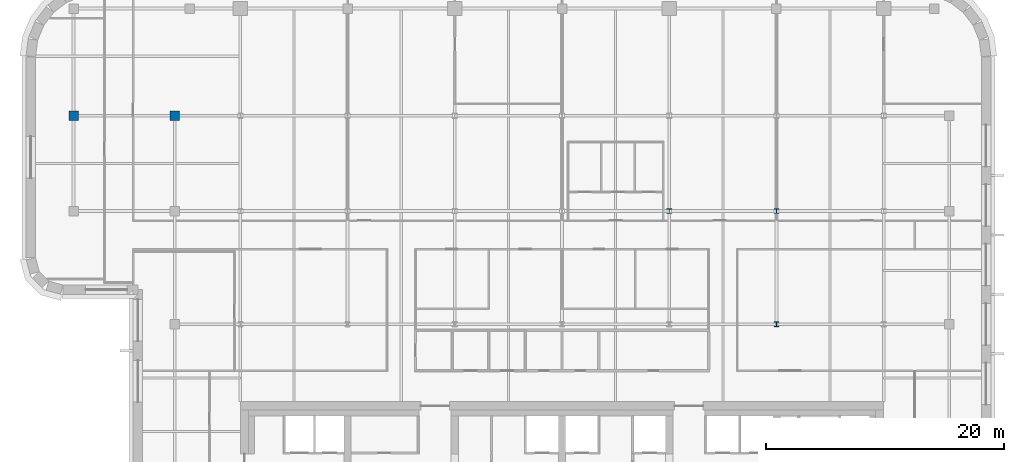
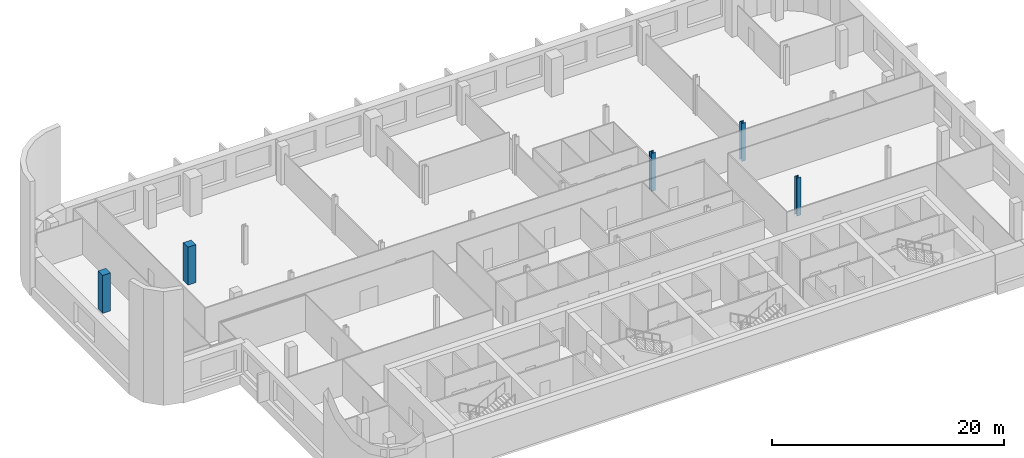
# One storey, part 2 of 16: 5 columns.
"""IFC4 building model written with IfcOpenShell, lengths in metres."""

from ifc_helpers import new_model, si_unit, direction, frame, origin, origin_2d, place, context, subcontext, project, spatial, rectangle, i_section, extrude, material, material_profile, profile_set, type_object, element, save


model = new_model("IFC4")

# Units and contexts
model_context = context("Model", 3, precision=1e-05, world=origin(), true_north=direction((0.0, 1.0)))
body_context = subcontext(model_context, "Body", "Model", "MODEL_VIEW")
ifc_project = project(units=[si_unit("LENGTHUNIT", "METRE"), si_unit("AREAUNIT", "SQUARE_METRE"), si_unit("VOLUMEUNIT", "CUBIC_METRE"), si_unit("PLANEANGLEUNIT", "RADIAN"), si_unit("MASSUNIT", "GRAM", prefix="KILO")], contexts=[model_context])

# Site, building, storey
site_placement = place(None, origin())
site = spatial("IfcSite", under=ifc_project, at=site_placement, CompositionType="ELEMENT")
building_placement = place(site_placement, origin())
building = spatial("IfcBuilding", under=site, at=building_placement, Name="Zellij Exchange Tower", CompositionType="ELEMENT")
storey_placement = place(building_placement, frame((0.0, 0.0, 244.5)))
storey = spatial("IfcBuildingStorey", under=building, at=storey_placement, Name="L57", CompositionType="ELEMENT", Elevation=244.5)

# Columns
ifc_material_1 = material(Name="Concrete C50/60", Category="concrete")
ifc_material_profile_1 = material_profile(ifc_material_1, rectangle(XDim=0.800048828125, YDim=0.800048828125, at=origin_2d()), Name="STR-COLUMN RC800x800 C50/60")
ifc_profile_set_1 = profile_set([ifc_material_profile_1], Name="Concrete C50/60")
column_type_1 = type_object("IfcColumnType", Name="STR-COLUMN RC800x800 C50/60", PredefinedType="COLUMN", material=ifc_profile_set_1)
for number, where, z_axis, x_axis, name in (
    (1, (-41.0, 22.0, 0.0), (0.0, 0.0, 1.0), (1.0, 0.0, 0.0), "C15"),
    (2, (-32.5, 22.0, 0.0), (0.0, 0.0, 1.0), (1.0, 0.0, 0.0), "C15"),
):
    element("IfcColumn", number, at=place(storey_placement, frame(where, z_axis=z_axis, x_axis=x_axis)), inside=storey, type_object=column_type_1, Name=name, PredefinedType="COLUMN", context=body_context, shape_type="SweptSolid", body=[
        extrude(rectangle(XDim=0.800048828125, YDim=0.800048828125, at=origin_2d()), origin(), (0.0, 0.0, 1.0), 4.0),
    ])
ifc_material_2 = material(Name="Structural steel ASTM A992 Gr 50", Category="steel")
ifc_material_profile_2 = material_profile(ifc_material_2, i_section(OverallWidth=0.398681640625, OverallDepth=0.385986328125, WebThickness=0.02099609375, FlangeThickness=0.033203125, at=origin_2d()), Name="W14x176")
ifc_profile_set_2 = profile_set([ifc_material_profile_2], Name="Structural steel ASTM A992 Gr 50")
column_type_2 = type_object("IfcColumnType", Name="STR-COLUMN W14x176", PredefinedType="COLUMN", material=ifc_profile_set_2)
for number, where, z_axis, x_axis, name in (
    (3, (18.0, 4.5, 0.0), (0.0, 0.0, 1.0), (1.0, 0.0, 0.0), "C2"),
    (4, (9.0, 14.0, 0.0), (0.0, 0.0, 1.0), (1.0, 0.0, 0.0), "C2"),
    (5, (18.0, 14.0, 0.0), (0.0, 0.0, 1.0), (1.0, 0.0, 0.0), "C2"),
):
    element("IfcColumn", number, at=place(storey_placement, frame(where, z_axis=z_axis, x_axis=x_axis)), inside=storey, type_object=column_type_2, Name=name, PredefinedType="COLUMN", context=body_context, shape_type="SweptSolid", body=[
        extrude(i_section(OverallWidth=0.398681640625, OverallDepth=0.385986328125, WebThickness=0.02099609375, FlangeThickness=0.033203125, at=origin_2d()), origin(), (0.0, 0.0, 1.0), 4.0),
    ])

save(model, "model.ifc")
